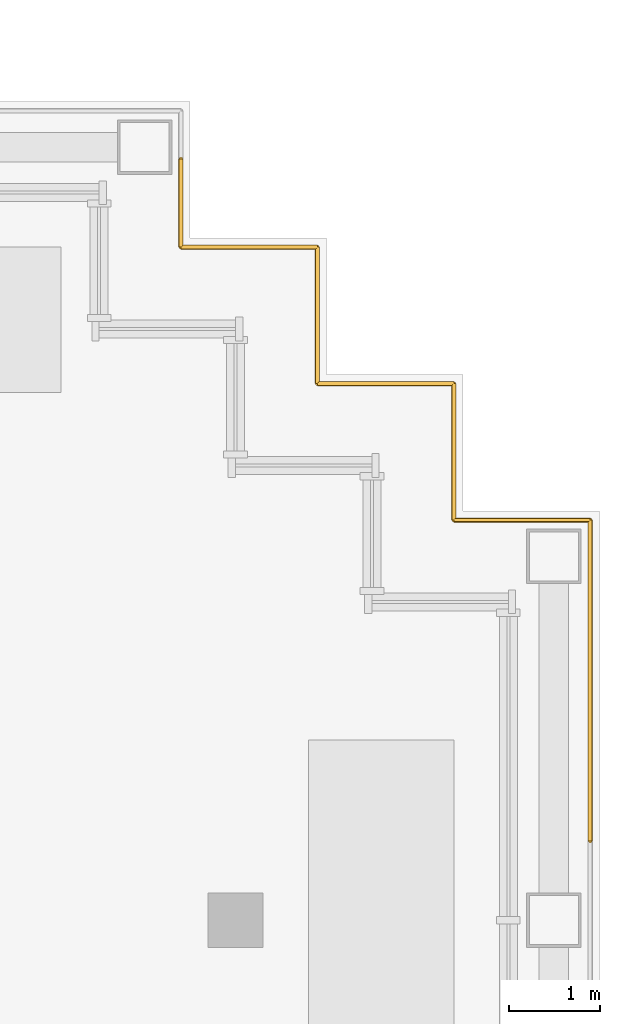
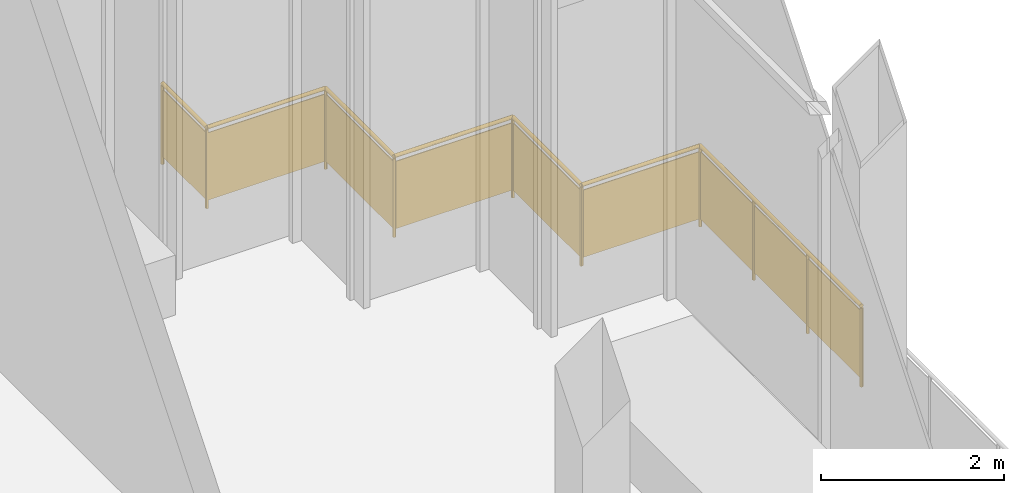
# One storey, part 14 of 15: 1 railing.
"""IFC4 building model written with IfcOpenShell, lengths in metres."""

import ifcopenshell
import ifcopenshell.guid

model = None  # the IFC model being written
_history = None  # IfcOwnerHistory: only IFC2X3 demands one
_inside = {}  # id of a spatial element -> (the spatial element, [elements in it])
_under = {}  # id of a project, library or spatial element -> (it, [spatial elements below it])
_declared = {}  # id of a project -> (the project, [libraries it declares])
_typed = {}  # id of a type object -> (the type object, [elements of that type])
_made_of = {}  # id of a material, layer set ... -> (it, [elements and type objects made of it])


def new_model(schema):
    """Start an empty IFC model of exactly this schema.

    Asked for "IFC4X3", IfcOpenShell would pick the latest addendum, in which some entities
    have other attributes; the version numbers below select the first issue.
    IFC2X3 requires an IfcOwnerHistory on every rooted entity: one is made here for all.
    """
    global model, _history
    if schema == "IFC4X3":
        model = ifcopenshell.file(schema_version=(4, 3, 0, 0))
    else:
        model = ifcopenshell.file(schema=schema)
    _inside.clear()
    _under.clear()
    _declared.clear()
    _typed.clear()
    _made_of.clear()
    _history = None
    if model.schema == "IFC2X3":
        org = make("IfcOrganization", Name="unknown")
        user = make(
            "IfcPersonAndOrganization",
            ThePerson=make("IfcPerson", FamilyName="unknown"),
            TheOrganization=org,
        )
        app = make(
            "IfcApplication",
            ApplicationDeveloper=org,
            Version="unknown",
            ApplicationFullName="unknown",
            ApplicationIdentifier="unknown",
        )
        _history = make(
            "IfcOwnerHistory",
            OwningUser=user,
            OwningApplication=app,
            ChangeAction="ADDED",
            CreationDate=0,
        )
    return model


def make(cls, **values):
    """One entity of the class cls with the attributes given. An attribute that is None is left unset."""
    return model.create_entity(
        cls, **{name: value for name, value in values.items() if value is not None}
    )


def rooted(cls, **values):
    """An entity with a GlobalId (a new one), such as an element, a storey or a relation."""
    return make(cls, GlobalId=ifcopenshell.guid.new(), OwnerHistory=_history, **values)


def si_unit(unit_type, name, prefix=None):
    """IfcSIUnit, for example si_unit("LENGTHUNIT", "METRE", prefix="MILLI")."""
    return make("IfcSIUnit", UnitType=unit_type, Prefix=prefix, Name=name)


def assignment(units):
    """IfcUnitAssignment: the units of a project."""
    return None if units is None else make("IfcUnitAssignment", Units=units)


def point(xyz):
    """IfcCartesianPoint."""
    return None if xyz is None else make("IfcCartesianPoint", Coordinates=xyz)


def direction(xyz):
    """IfcDirection."""
    return None if xyz is None else make("IfcDirection", DirectionRatios=xyz)


def frame(location, z_axis=None, x_axis=None):
    """IfcAxis2Placement3D, a coordinate frame: its origin and axes. An axis left out is left unset."""
    return make(
        "IfcAxis2Placement3D",
        Location=point(location),
        Axis=direction(z_axis),
        RefDirection=direction(x_axis),
    )


def frame_2d(location, x_axis=None):
    """IfcAxis2Placement2D, a coordinate frame in the plane: its origin and x axis."""
    return make(
        "IfcAxis2Placement2D", Location=point(location), RefDirection=direction(x_axis)
    )


def origin():
    """The frame at (0, 0, 0) with its axes left unset."""
    return frame((0.0, 0.0, 0.0))


def origin_2d():
    """The frame at (0, 0) in the plane with its x axis left unset."""
    return frame_2d((0.0, 0.0))


def place(relative_to, where):
    """IfcLocalPlacement: puts the frame where relative to a parent placement (None: the world)."""
    return make(
        "IfcLocalPlacement", PlacementRelTo=relative_to, RelativePlacement=where
    )


def context(
    kind, dimensions, precision=None, world=None, true_north=None, identifier=None
):
    """IfcGeometricRepresentationContext, for example the 3D "Model" context."""
    return make(
        "IfcGeometricRepresentationContext",
        ContextIdentifier=identifier,
        ContextType=kind,
        CoordinateSpaceDimension=dimensions,
        Precision=precision,
        WorldCoordinateSystem=world,
        TrueNorth=true_north,
    )


def subcontext(parent, identifier, kind, view, scale=None):
    """IfcGeometricRepresentationSubContext, for example "Body" below "Model"."""
    return make(
        "IfcGeometricRepresentationSubContext",
        ContextIdentifier=identifier,
        ContextType=kind,
        ParentContext=parent,
        TargetScale=scale,
        TargetView=view,
    )


def project(units=None, contexts=None):
    """IfcProject with its units and contexts."""
    return rooted(
        "IfcProject",
        Name="project",
        RepresentationContexts=contexts,
        UnitsInContext=assignment(units),
    )


def spatial(cls, under=None, at=None, **own):
    """A site, building, storey or space (cls), placed at a placement, below another one or the project."""
    s = rooted(cls, ObjectPlacement=at, **own)
    if under is not None:
        _under.setdefault(under.id(), (under, []))[1].append(s)
    return s


def profile(cls, at=None, kind="AREA", **sizes):
    """A parametric profile (cls). Its sizes go by their IFC names, for example OverallWidth=200.0."""
    return make(cls, ProfileType=kind, Position=at, **sizes)


def rectangle(**sizes):
    """IfcRectangleProfileDef."""
    return profile("IfcRectangleProfileDef", **sizes)


def circle(**sizes):
    """IfcCircleProfileDef."""
    return profile("IfcCircleProfileDef", **sizes)


def extrude(swept, where, along, depth):
    """IfcExtrudedAreaSolid: the profile swept, set in the frame where, extruded along a direction by depth."""
    return make(
        "IfcExtrudedAreaSolid",
        SweptArea=swept,
        Position=where,
        ExtrudedDirection=direction(along),
        Depth=depth,
    )


def shape(context_of_items, identifier, shape_type, items):
    """IfcShapeRepresentation: the items that make up one representation, for example the "Body"."""
    return make(
        "IfcShapeRepresentation",
        ContextOfItems=context_of_items,
        RepresentationIdentifier=identifier,
        RepresentationType=shape_type,
        Items=items,
    )


def material(Name=None, Category=None):
    """IfcMaterial."""
    return make("IfcMaterial", Name=Name, Category=Category)


def made_of(thing, what):
    """Note that an element or type object is made of a material, layer set ...; save() writes the relation."""
    if what is not None:
        _made_of.setdefault(what.id(), (what, []))[1].append(thing)
    return thing


def type_object(cls, material=None, **own):
    """A type object (cls), such as IfcWallType, which elements share."""
    return made_of(rooted(cls, **own), material)


def element(
    cls,
    number,
    at=None,
    inside=None,
    cuts=None,
    type_object=None,
    material=None,
    context=None,
    identifier="Body",
    shape_type=None,
    held_by="IfcProductDefinitionShape",
    body=None,
    shapes=None,
    **own,
):
    """One element of the class cls, such as IfcWall. Its Tag is "e" and its number.

    at: its placement. inside: the storey or other place that contains it. cuts: it is an
    opening in that element (IfcRelVoidsElement). A single representation is given by context,
    identifier, shape_type and body (its items); several are given by shapes. held_by: the class
    of the entity that holds the representations. save() writes the other relations.
    """
    e = rooted(cls, Tag="e%d" % number, ObjectPlacement=at, **own)
    if body is not None:
        shapes = [shape(context, identifier, shape_type, body)]
    if shapes is not None:
        e.Representation = make(held_by, Representations=shapes)
    if inside is not None:
        _inside.setdefault(inside.id(), (inside, []))[1].append(e)
    if cuts is not None:
        rooted(
            "IfcRelVoidsElement", RelatingBuildingElement=cuts, RelatedOpeningElement=e
        )
    if type_object is not None:
        _typed.setdefault(type_object.id(), (type_object, []))[1].append(e)
    return made_of(e, material)


def aggregate(whole, parts):
    """IfcRelAggregates: a whole, such as a stair, and the parts it consists of."""
    return rooted("IfcRelAggregates", RelatingObject=whole, RelatedObjects=parts)


def save(model, path):
    """Write the relations noted so far, then the file.

    IfcRelAggregates (storeys below a building ...), IfcRelContainedInSpatialStructure (elements
    in a storey), IfcRelDefinesByType, IfcRelAssociatesMaterial and IfcRelDeclares: one each for
    every whole, place, type object, material and project.
    """
    for whole, parts in _under.values():
        aggregate(whole, parts)
    for where, things in _inside.values():
        rooted(
            "IfcRelContainedInSpatialStructure",
            RelatedElements=things,
            RelatingStructure=where,
        )
    for kind, things in _typed.values():
        rooted("IfcRelDefinesByType", RelatedObjects=things, RelatingType=kind)
    for what, things in _made_of.values():
        rooted("IfcRelAssociatesMaterial", RelatedObjects=things, RelatingMaterial=what)
    for by, libraries in _declared.values():
        rooted("IfcRelDeclares", RelatingContext=by, RelatedDefinitions=libraries)
    model.write(path)


model = new_model("IFC4")

# Units and contexts
model_context = context("Model", 3, precision=1e-05, world=origin(), true_north=direction((0.0, 1.0)))
body_context = subcontext(model_context, "Body", "Model", "MODEL_VIEW")
ifc_project = project(units=[si_unit("LENGTHUNIT", "METRE"), si_unit("AREAUNIT", "SQUARE_METRE"), si_unit("VOLUMEUNIT", "CUBIC_METRE"), si_unit("PLANEANGLEUNIT", "RADIAN"), si_unit("MASSUNIT", "GRAM", prefix="KILO")], contexts=[model_context])

# Site, building, storey
site_placement = place(None, origin())
site = spatial("IfcSite", under=ifc_project, at=site_placement, CompositionType="ELEMENT")
building_placement = place(site_placement, origin())
building = spatial("IfcBuilding", under=site, at=building_placement, Name="Vidyagriha Tower", CompositionType="ELEMENT")
storey_placement = place(building_placement, frame((0.0, 0.0, 239.60009765625)))
storey = spatial("IfcBuildingStorey", under=building, at=storey_placement, Name="L63", CompositionType="ELEMENT", Elevation=239.60009765625)

# Railing
ifc_material = material(Name="Steel ASTM A500 Grade C black painted", Category="steel")
railing_type = type_object("IfcRailingType", Name="Gallery guard 1100", PredefinedType="GUARDRAIL", material=ifc_material)
railing_placement = place(storey_placement, frame((25.39990234375, 19.3701171875, 0.0)))
element("IfcRailing", 1, at=railing_placement, inside=storey, type_object=railing_type, Name="Gallery guard L63 2", PredefinedType="GUARDRAIL", context=body_context, shape_type="SweptSolid", body=[
    extrude(circle(Radius=0.02490234375, at=origin_2d()), frame((0.0, 0.0, 1.0751953125), z_axis=(0.0, -1.0, 0.0), x_axis=(1.0, 0.0, 0.0)), (0.0, 0.0, 1.0), 0.97021484375),
    extrude(circle(Radius=0.02490234375, at=origin_2d()), frame((0.0, -0.97021484375, 1.0751953125), z_axis=(1.0, 0.0, 0.0), x_axis=(0.0, 1.0, 0.0)), (0.0, 0.0, 1.0), 1.5),
    extrude(circle(Radius=0.02490234375, at=origin_2d()), frame((1.5, -0.97021484375, 1.0751953125), z_axis=(0.0, -1.0, 0.0), x_axis=(1.0, 0.0, 0.0)), (0.0, 0.0, 1.0), 1.5),
    extrude(circle(Radius=0.02490234375, at=origin_2d()), frame((1.5, -2.47021484375, 1.0751953125), z_axis=(1.0, 0.0, 0.0), x_axis=(0.0, 1.0, 0.0)), (0.0, 0.0, 1.0), 1.5),
    extrude(circle(Radius=0.02490234375, at=origin_2d()), frame((3.0, -2.47021484375, 1.0751953125), z_axis=(0.0, -1.0, 0.0), x_axis=(1.0, 0.0, 0.0)), (0.0, 0.0, 1.0), 1.5),
    extrude(circle(Radius=0.02490234375, at=origin_2d()), frame((3.0, -3.97021484375, 1.0751953125), z_axis=(1.0, 0.0, 0.0), x_axis=(0.0, 1.0, 0.0)), (0.0, 0.0, 1.0), 1.5),
    extrude(circle(Radius=0.02490234375, at=origin_2d()), frame((4.5, -3.97021484375, 1.0751953125), z_axis=(0.0, -1.0, 0.0), x_axis=(1.0, 0.0, 0.0)), (0.0, 0.0, 1.0), 3.52978515625),
    extrude(circle(Radius=0.02001953125, at=origin_2d()), origin(), (0.0, 0.0, 1.0), 1.050048828125),
    extrude(circle(Radius=0.02001953125, at=origin_2d()), frame((0.0, -0.97021484375, 0.0)), (0.0, 0.0, 1.0), 1.050048828125),
    extrude(circle(Radius=0.02001953125, at=origin_2d()), frame((1.5, -0.97021484375, 0.0)), (0.0, 0.0, 1.0), 1.050048828125),
    extrude(circle(Radius=0.02001953125, at=origin_2d()), frame((1.5, -2.47021484375, 0.0)), (0.0, 0.0, 1.0), 1.050048828125),
    extrude(circle(Radius=0.02001953125, at=origin_2d()), frame((3.0, -2.47021484375, 0.0)), (0.0, 0.0, 1.0), 1.050048828125),
    extrude(circle(Radius=0.02001953125, at=origin_2d()), frame((3.0, -3.97021484375, 0.0)), (0.0, 0.0, 1.0), 1.050048828125),
    extrude(circle(Radius=0.02001953125, at=origin_2d()), frame((4.5, -3.97021484375, 0.0)), (0.0, 0.0, 1.0), 1.050048828125),
    extrude(circle(Radius=0.02001953125, at=origin_2d()), frame((4.5, -5.146728515625, 0.0)), (0.0, 0.0, 1.0), 1.050048828125),
    extrude(circle(Radius=0.02001953125, at=origin_2d()), frame((4.5, -6.323486328125, 0.0)), (0.0, 0.0, 1.0), 1.050048828125),
    extrude(circle(Radius=0.02001953125, at=origin_2d()), frame((4.5, -7.5, 0.0)), (0.0, 0.0, 1.0), 1.050048828125),
    extrude(rectangle(XDim=0.010009765625, YDim=0.900146484375, at=origin_2d()), frame((0.0, 0.0, 0.550048828125), z_axis=(0.0, -1.0, 0.0), x_axis=(1.0, 0.0, 0.0)), (0.0, 0.0, 1.0), 0.97021484375),
    extrude(rectangle(XDim=0.010009765625, YDim=0.900146484375, at=origin_2d()), frame((0.0, -0.97021484375, 0.550048828125), z_axis=(1.0, 0.0, 0.0), x_axis=(0.0, 1.0, 0.0)), (0.0, 0.0, 1.0), 1.5),
    extrude(rectangle(XDim=0.010009765625, YDim=0.900146484375, at=origin_2d()), frame((1.5, -0.97021484375, 0.550048828125), z_axis=(0.0, -1.0, 0.0), x_axis=(1.0, 0.0, 0.0)), (0.0, 0.0, 1.0), 1.5),
    extrude(rectangle(XDim=0.010009765625, YDim=0.900146484375, at=origin_2d()), frame((1.5, -2.47021484375, 0.550048828125), z_axis=(1.0, 0.0, 0.0), x_axis=(0.0, 1.0, 0.0)), (0.0, 0.0, 1.0), 1.5),
    extrude(rectangle(XDim=0.010009765625, YDim=0.900146484375, at=origin_2d()), frame((3.0, -2.47021484375, 0.550048828125), z_axis=(0.0, -1.0, 0.0), x_axis=(1.0, 0.0, 0.0)), (0.0, 0.0, 1.0), 1.5),
    extrude(rectangle(XDim=0.010009765625, YDim=0.900146484375, at=origin_2d()), frame((3.0, -3.97021484375, 0.550048828125), z_axis=(1.0, 0.0, 0.0), x_axis=(0.0, 1.0, 0.0)), (0.0, 0.0, 1.0), 1.5),
    extrude(rectangle(XDim=0.010009765625, YDim=0.900146484375, at=origin_2d()), frame((4.5, -3.97021484375, 0.550048828125), z_axis=(0.0, -1.0, 0.0), x_axis=(1.0, 0.0, 0.0)), (0.0, 0.0, 1.0), 3.52978515625),
])

save(model, "model.ifc")
